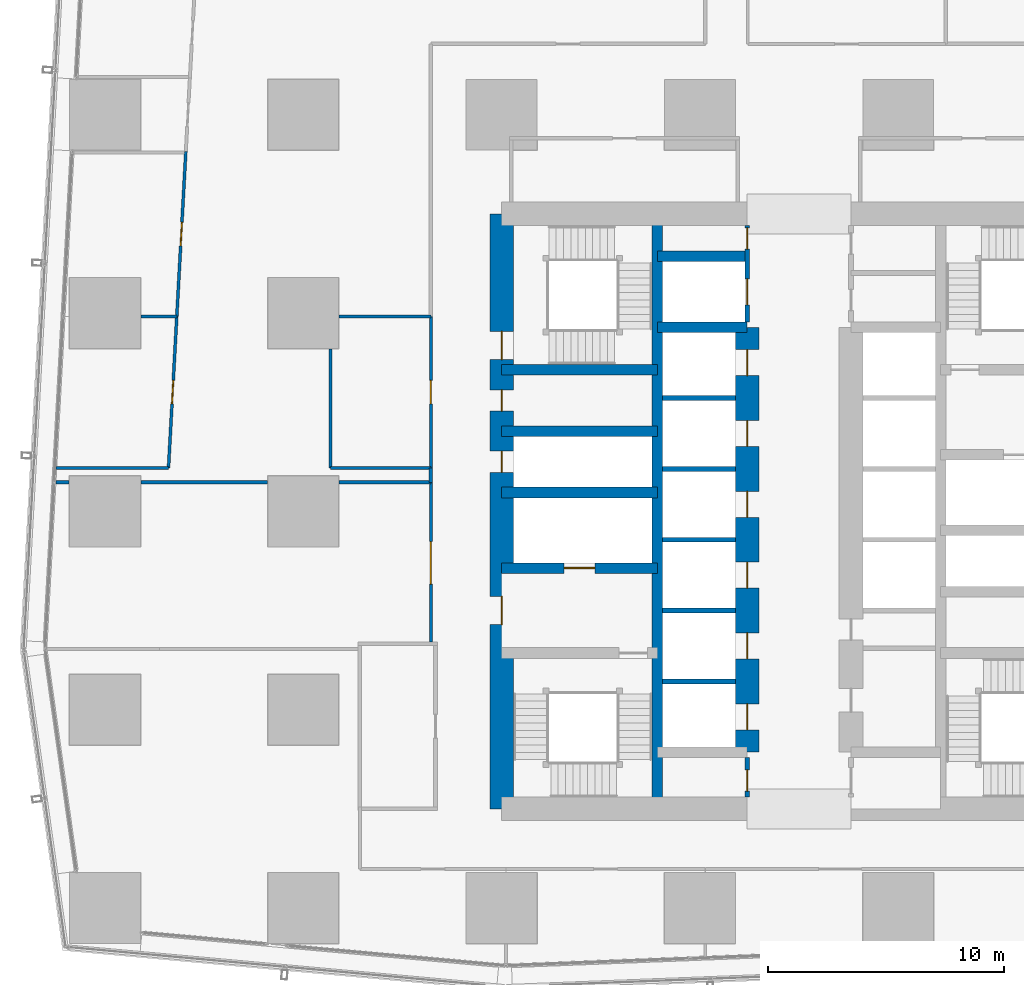
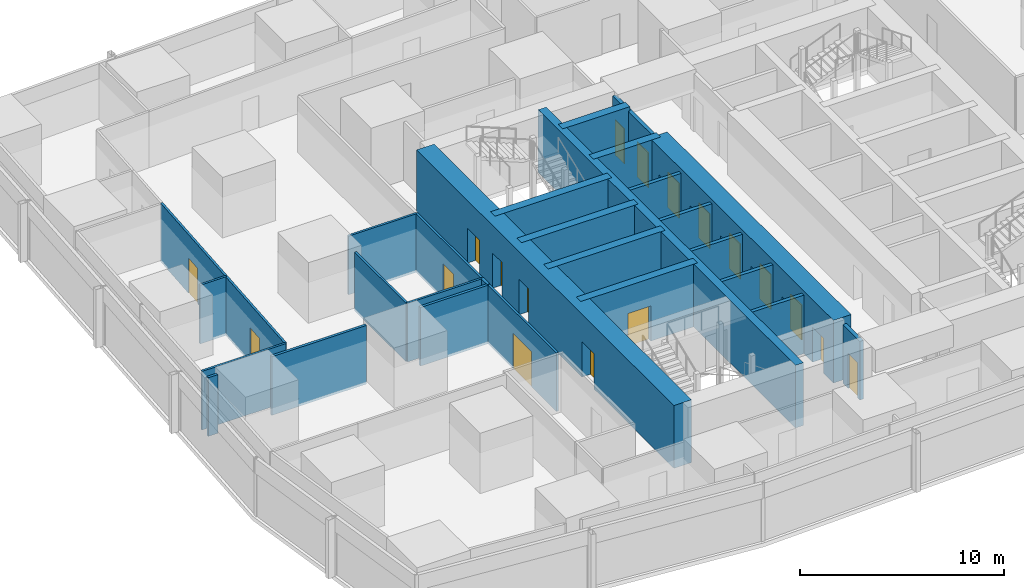
# One storey, part 29 of 39: 29 walls, 18 doors, 18 openings.
"""IFC4 building model written with IfcOpenShell, lengths in metres."""

from ifc_helpers import new_model, si_unit, direction, frame, frame_2d, origin, place, context, subcontext, project, spatial, rectangle, extrude, material, layer, layer_set, type_object, element, fill, save


model = new_model("IFC4")

# Units and contexts
model_context = context("Model", 3, precision=1e-05, world=origin(), true_north=direction((0.0, 1.0)))
body_context = subcontext(model_context, "Body", "Model", "MODEL_VIEW")
ifc_project = project(units=[si_unit("LENGTHUNIT", "METRE"), si_unit("AREAUNIT", "SQUARE_METRE"), si_unit("VOLUMEUNIT", "CUBIC_METRE"), si_unit("PLANEANGLEUNIT", "RADIAN"), si_unit("MASSUNIT", "GRAM", prefix="KILO")], contexts=[model_context])

# Site, building, storey
site_placement = place(None, origin())
site = spatial("IfcSite", under=ifc_project, at=site_placement, CompositionType="ELEMENT")
building_placement = place(site_placement, origin())
building = spatial("IfcBuilding", under=site, at=building_placement, Name="Rekha Terrace Tower", CompositionType="ELEMENT")
storey_placement = place(building_placement, frame((0.0, 0.0, 155.300048828125)))
storey = spatial("IfcBuildingStorey", under=building, at=storey_placement, Name="L39", CompositionType="ELEMENT", Elevation=155.300048828125)

# Walls
ifc_material_1 = material(Name="Concrete M70", Category="concrete")
ifc_layer_1 = layer(ifc_material_1, 0.449951171875)
ifc_layer_set_1 = layer_set([ifc_layer_1], Name="Concrete M70")
wall_type_1 = type_object("IfcWallType", Name="CI2 450 core internal shear wall", PredefinedType="SHEAR", material=ifc_layer_set_1)
wall_1_placement = place(storey_placement, frame((31.800048828125, 21.0, 0.0), z_axis=(0.0, 0.0, 1.0), x_axis=(0.0, 1.0, 0.0)))
element("IfcWall", 1, at=wall_1_placement, inside=storey, type_object=wall_type_1, Name="Core wall X318 L39", PredefinedType="SHEAR", context=body_context, shape_type="SweptSolid", body=[
    extrude(rectangle(XDim=25.199951171875, YDim=0.449951171875, at=frame_2d((12.60009765625, 0.0))), origin(), (0.0, 0.0, 1.0), 3.75),
])
for number, where, z_axis, x_axis, name in (
    (2, (31.800048828125, 41.39990234375, 0.0), (0.0, 0.0, 1.0), (1.0, 0.0, 0.0), "Core wall Y414W L39"),
    (3, (31.800048828125, 44.39990234375, 0.0), (0.0, 0.0, 1.0), (1.0, 0.0, 0.0), "Core wall Y444W L39"),
):
    element("IfcWall", number, at=place(storey_placement, frame(where, z_axis=z_axis, x_axis=x_axis)), inside=storey, type_object=wall_type_1, Name=name, PredefinedType="SHEAR", context=body_context, shape_type="SweptSolid", body=[
        extrude(rectangle(XDim=3.800048828125, YDim=0.449951171875, at=frame_2d((1.89990234375, 0.0))), origin(), (0.0, 0.0, 1.0), 3.75),
    ])

# Wall, opening, door
wall_2_placement = place(storey_placement, frame((25.199951171875, 31.199951171875, 0.0), z_axis=(0.0, 0.0, 1.0), x_axis=(1.0, 0.0, 0.0)))
wall_2 = element("IfcWall", 4, at=wall_2_placement, inside=storey, type_object=wall_type_1, Name="Core wall Y312W L39", PredefinedType="SHEAR", context=body_context, shape_type="SweptSolid", body=[
    extrude(rectangle(XDim=6.60009765625, YDim=0.449951171875, at=frame_2d((3.300048828125, 0.0))), origin(), (0.0, 0.0, 1.0), 3.75),
])
opening_1_placement = place(wall_2_placement, frame((2.64990234375, 0.0, 0.0)))
opening_1 = element("IfcOpeningElement", 5, at=opening_1_placement, cuts=wall_2, Name="Opening LD2", PredefinedType="OPENING", context=body_context, shape_type="SweptSolid", body=[
    extrude(rectangle(XDim=1.300048828125, YDim=2.10009765625, at=frame_2d((0.64990234375, 1.050048828125))), frame((0.0, 0.23486328125, 0.0), z_axis=(0.0, -1.0, 0.0), x_axis=(1.0, 0.0, 0.0)), (0.0, 0.0, 1.0), 0.469970703125),
])
ifc_material_2 = material(Name="Stainless steel sliding landing door", Category="steel")
door_type_1 = type_object("IfcDoorType", Name="LD2 1300x2100 fire lift landing door", OperationType="SLIDING_TO_LEFT", PredefinedType="USERDEFINED", material=ifc_material_2)
door_1_placement = place(opening_1_placement, origin())
door_1 = element("IfcDoor", 6, at=door_1_placement, inside=storey, type_object=door_type_1, Name="Lift FL1 landing door L39", ObjectType="LIFT LANDING DOOR", OperationType="SLIDING_TO_LEFT", OverallHeight=2.10009765625, OverallWidth=1.300048828125, PredefinedType="USERDEFINED", context=body_context, shape_type="SweptSolid", body=[
    extrude(rectangle(XDim=1.300048828125, YDim=2.10009765625, at=frame_2d((0.64990234375, 1.050048828125))), frame((0.0, 0.02490234375, 0.0), z_axis=(0.0, -1.0, 0.0), x_axis=(1.0, 0.0, 0.0)), (0.0, 0.0, 1.0), 0.050048828125),
])
fill(opening_1, door_1)

# Walls
for number, where, z_axis, x_axis, name in (
    (7, (25.199951171875, 34.39990234375, 0.0), (0.0, 0.0, 1.0), (1.0, 0.0, 0.0), "Core wall Y344W L39"),
    (8, (25.199951171875, 37.0, 0.0), (0.0, 0.0, 1.0), (1.0, 0.0, 0.0), "Core wall Y370W L39"),
    (9, (25.199951171875, 39.60009765625, 0.0), (0.0, 0.0, 1.0), (1.0, 0.0, 0.0), "Core wall Y396W L39"),
):
    element("IfcWall", number, at=place(storey_placement, frame(where, z_axis=z_axis, x_axis=x_axis)), inside=storey, type_object=wall_type_1, Name=name, PredefinedType="SHEAR", context=body_context, shape_type="SweptSolid", body=[
        extrude(rectangle(XDim=6.60009765625, YDim=0.449951171875, at=frame_2d((3.300048828125, 0.0))), origin(), (0.0, 0.0, 1.0), 3.75),
    ])

# Wall, openings, doors
ifc_layer_2 = layer(ifc_material_1, 1.0)
ifc_layer_set_2 = layer_set([ifc_layer_2], Name="Concrete M70")
wall_type_2 = type_object("IfcWallType", Name="LW2 1000 core lobby wall at an outrigger level", PredefinedType="SHEAR", material=ifc_layer_set_2)
wall_3_placement = place(storey_placement, frame((35.60009765625, 23.39990234375, 0.0), z_axis=(0.0, 0.0, 1.0), x_axis=(0.0, 1.0, 0.0)))
wall_3 = element("IfcWall", 10, at=wall_3_placement, inside=storey, type_object=wall_type_2, Name="Core wall X356 L39", PredefinedType="SHEAR", context=body_context, shape_type="SweptSolid", body=[
    extrude(rectangle(XDim=18.0, YDim=1.0, at=frame_2d((9.0, 0.0))), origin(), (0.0, 0.0, 1.0), 3.75),
])
opening_2_placement = place(wall_3_placement, frame((0.949951171875, 0.0, 0.0)))
opening_2 = element("IfcOpeningElement", 11, at=opening_2_placement, cuts=wall_3, Name="Opening LD1", PredefinedType="OPENING", context=body_context, shape_type="SweptSolid", body=[
    extrude(rectangle(XDim=1.10009765625, YDim=2.10009765625, at=frame_2d((0.550048828125, 1.050048828125))), frame((0.0, 0.510009765625, 0.0), z_axis=(0.0, -1.0, 0.0), x_axis=(1.0, 0.0, 0.0)), (0.0, 0.0, 1.0), 1.02001953125),
])
opening_3_placement = place(wall_3_placement, frame((3.949951171875, 0.0, 0.0)))
opening_3 = element("IfcOpeningElement", 12, at=opening_3_placement, cuts=wall_3, Name="Opening LD1", PredefinedType="OPENING", context=body_context, shape_type="SweptSolid", body=[
    extrude(rectangle(XDim=1.10009765625, YDim=2.10009765625, at=frame_2d((0.550048828125, 1.050048828125))), frame((0.0, 0.510009765625, 0.0), z_axis=(0.0, -1.0, 0.0), x_axis=(1.0, 0.0, 0.0)), (0.0, 0.0, 1.0), 1.02001953125),
])
opening_4_placement = place(wall_3_placement, frame((6.949951171875, 0.0, 0.0)))
opening_4 = element("IfcOpeningElement", 13, at=opening_4_placement, cuts=wall_3, Name="Opening LD1", PredefinedType="OPENING", context=body_context, shape_type="SweptSolid", body=[
    extrude(rectangle(XDim=1.10009765625, YDim=2.10009765625, at=frame_2d((0.550048828125, 1.050048828125))), frame((0.0, 0.510009765625, 0.0), z_axis=(0.0, -1.0, 0.0), x_axis=(1.0, 0.0, 0.0)), (0.0, 0.0, 1.0), 1.02001953125),
])
opening_5_placement = place(wall_3_placement, frame((9.949951171875, 0.0, 0.0)))
opening_5 = element("IfcOpeningElement", 14, at=opening_5_placement, cuts=wall_3, Name="Opening LD1", PredefinedType="OPENING", context=body_context, shape_type="SweptSolid", body=[
    extrude(rectangle(XDim=1.10009765625, YDim=2.10009765625, at=frame_2d((0.550048828125, 1.050048828125))), frame((0.0, 0.510009765625, 0.0), z_axis=(0.0, -1.0, 0.0), x_axis=(1.0, 0.0, 0.0)), (0.0, 0.0, 1.0), 1.02001953125),
])
opening_6_placement = place(wall_3_placement, frame((12.949951171875, 0.0, 0.0)))
opening_6 = element("IfcOpeningElement", 15, at=opening_6_placement, cuts=wall_3, Name="Opening LD1", PredefinedType="OPENING", context=body_context, shape_type="SweptSolid", body=[
    extrude(rectangle(XDim=1.10009765625, YDim=2.10009765625, at=frame_2d((0.550048828125, 1.050048828125))), frame((0.0, 0.510009765625, 0.0), z_axis=(0.0, -1.0, 0.0), x_axis=(1.0, 0.0, 0.0)), (0.0, 0.0, 1.0), 1.02001953125),
])
opening_7_placement = place(wall_3_placement, frame((15.949951171875, 0.0, 0.0)))
opening_7 = element("IfcOpeningElement", 16, at=opening_7_placement, cuts=wall_3, Name="Opening LD1", PredefinedType="OPENING", context=body_context, shape_type="SweptSolid", body=[
    extrude(rectangle(XDim=1.10009765625, YDim=2.10009765625, at=frame_2d((0.550048828125, 1.050048828125))), frame((0.0, 0.510009765625, 0.0), z_axis=(0.0, -1.0, 0.0), x_axis=(1.0, 0.0, 0.0)), (0.0, 0.0, 1.0), 1.02001953125),
])
door_type_2 = type_object("IfcDoorType", Name="LD1 1100x2100 lift landing door", OperationType="SLIDING_TO_LEFT", PredefinedType="USERDEFINED", material=ifc_material_2)
door_2_placement = place(opening_2_placement, origin())
door_2 = element("IfcDoor", 17, at=door_2_placement, inside=storey, type_object=door_type_2, Name="Lift B1 landing door L39", ObjectType="LIFT LANDING DOOR", OperationType="SLIDING_TO_LEFT", OverallHeight=2.10009765625, OverallWidth=1.10009765625, PredefinedType="USERDEFINED", context=body_context, shape_type="SweptSolid", body=[
    extrude(rectangle(XDim=1.10009765625, YDim=2.10009765625, at=frame_2d((0.550048828125, 1.050048828125))), frame((0.0, 0.02490234375, 0.0), z_axis=(0.0, -1.0, 0.0), x_axis=(1.0, 0.0, 0.0)), (0.0, 0.0, 1.0), 0.050048828125),
])
fill(opening_2, door_2)
door_3_placement = place(opening_3_placement, origin())
door_3 = element("IfcDoor", 18, at=door_3_placement, inside=storey, type_object=door_type_2, Name="Lift B2 landing door L39", ObjectType="LIFT LANDING DOOR", OperationType="SLIDING_TO_LEFT", OverallHeight=2.10009765625, OverallWidth=1.10009765625, PredefinedType="USERDEFINED", context=body_context, shape_type="SweptSolid", body=[
    extrude(rectangle(XDim=1.10009765625, YDim=2.10009765625, at=frame_2d((0.550048828125, 1.050048828125))), frame((0.0, 0.02490234375, 0.0), z_axis=(0.0, -1.0, 0.0), x_axis=(1.0, 0.0, 0.0)), (0.0, 0.0, 1.0), 0.050048828125),
])
fill(opening_3, door_3)
door_4_placement = place(opening_4_placement, origin())
door_4 = element("IfcDoor", 19, at=door_4_placement, inside=storey, type_object=door_type_2, Name="Lift B3 landing door L39", ObjectType="LIFT LANDING DOOR", OperationType="SLIDING_TO_LEFT", OverallHeight=2.10009765625, OverallWidth=1.10009765625, PredefinedType="USERDEFINED", context=body_context, shape_type="SweptSolid", body=[
    extrude(rectangle(XDim=1.10009765625, YDim=2.10009765625, at=frame_2d((0.550048828125, 1.050048828125))), frame((0.0, 0.02490234375, 0.0), z_axis=(0.0, -1.0, 0.0), x_axis=(1.0, 0.0, 0.0)), (0.0, 0.0, 1.0), 0.050048828125),
])
fill(opening_4, door_4)
door_5_placement = place(opening_5_placement, origin())
door_5 = element("IfcDoor", 20, at=door_5_placement, inside=storey, type_object=door_type_2, Name="Lift B4 landing door L39", ObjectType="LIFT LANDING DOOR", OperationType="SLIDING_TO_LEFT", OverallHeight=2.10009765625, OverallWidth=1.10009765625, PredefinedType="USERDEFINED", context=body_context, shape_type="SweptSolid", body=[
    extrude(rectangle(XDim=1.10009765625, YDim=2.10009765625, at=frame_2d((0.550048828125, 1.050048828125))), frame((0.0, 0.02490234375, 0.0), z_axis=(0.0, -1.0, 0.0), x_axis=(1.0, 0.0, 0.0)), (0.0, 0.0, 1.0), 0.050048828125),
])
fill(opening_5, door_5)
door_6_placement = place(opening_6_placement, origin())
door_6 = element("IfcDoor", 21, at=door_6_placement, inside=storey, type_object=door_type_2, Name="Lift B5 landing door L39", ObjectType="LIFT LANDING DOOR", OperationType="SLIDING_TO_LEFT", OverallHeight=2.10009765625, OverallWidth=1.10009765625, PredefinedType="USERDEFINED", context=body_context, shape_type="SweptSolid", body=[
    extrude(rectangle(XDim=1.10009765625, YDim=2.10009765625, at=frame_2d((0.550048828125, 1.050048828125))), frame((0.0, 0.02490234375, 0.0), z_axis=(0.0, -1.0, 0.0), x_axis=(1.0, 0.0, 0.0)), (0.0, 0.0, 1.0), 0.050048828125),
])
fill(opening_6, door_6)
door_7_placement = place(opening_7_placement, origin())
door_7 = element("IfcDoor", 22, at=door_7_placement, inside=storey, type_object=door_type_2, Name="Lift B6 landing door L39", ObjectType="LIFT LANDING DOOR", OperationType="SLIDING_TO_LEFT", OverallHeight=2.10009765625, OverallWidth=1.10009765625, PredefinedType="USERDEFINED", context=body_context, shape_type="SweptSolid", body=[
    extrude(rectangle(XDim=1.10009765625, YDim=2.10009765625, at=frame_2d((0.550048828125, 1.050048828125))), frame((0.0, 0.02490234375, 0.0), z_axis=(0.0, -1.0, 0.0), x_axis=(1.0, 0.0, 0.0)), (0.0, 0.0, 1.0), 0.050048828125),
])
fill(opening_7, door_7)

ifc_layer_3 = layer(ifc_material_1, 1.0)
ifc_layer_set_3 = layer_set([ifc_layer_3], Name="Concrete M70")
wall_type_3 = type_object("IfcWallType", Name="SW2 1000 core outer shear wall", PredefinedType="SHEAR", material=ifc_layer_set_3)
wall_4_placement = place(storey_placement, frame((25.199951171875, 21.0, 0.0), z_axis=(0.0, 0.0, 1.0), x_axis=(0.0, 1.0, 0.0)))
wall_4 = element("IfcWall", 23, at=wall_4_placement, inside=storey, type_object=wall_type_3, Name="Core wall W L39", PredefinedType="SHEAR", context=body_context, shape_type="SweptSolid", body=[
    extrude(rectangle(XDim=25.199951171875, YDim=1.0, at=frame_2d((12.60009765625, 0.0))), origin(), (0.0, 0.0, 1.0), 3.75),
])
opening_8_placement = place(wall_4_placement, frame((7.800048828125, 0.0, 0.0)))
opening_8 = element("IfcOpeningElement", 24, at=opening_8_placement, cuts=wall_4, Name="Opening D2", PredefinedType="OPENING", context=body_context, shape_type="SweptSolid", body=[
    extrude(rectangle(XDim=1.199951171875, YDim=2.10009765625, at=frame_2d((0.60009765625, 1.050048828125))), frame((0.0, 0.510009765625, 0.0), z_axis=(0.0, -1.0, 0.0), x_axis=(1.0, 0.0, 0.0)), (0.0, 0.0, 1.0), 1.02001953125),
])
opening_9_placement = place(wall_4_placement, frame((14.25, 0.0, 0.0)))
opening_9 = element("IfcOpeningElement", 25, at=opening_9_placement, cuts=wall_4, Name="Opening D5", PredefinedType="OPENING", context=body_context, shape_type="SweptSolid", body=[
    extrude(rectangle(XDim=0.89990234375, YDim=2.10009765625, at=frame_2d((0.449951171875, 1.050048828125))), frame((0.0, 0.510009765625, 0.0), z_axis=(0.0, -1.0, 0.0), x_axis=(1.0, 0.0, 0.0)), (0.0, 0.0, 1.0), 1.02001953125),
])
opening_10_placement = place(wall_4_placement, frame((16.85009765625, 0.0, 0.0)))
opening_10 = element("IfcOpeningElement", 26, at=opening_10_placement, cuts=wall_4, Name="Opening D5", PredefinedType="OPENING", context=body_context, shape_type="SweptSolid", body=[
    extrude(rectangle(XDim=0.89990234375, YDim=2.10009765625, at=frame_2d((0.449951171875, 1.050048828125))), frame((0.0, 0.510009765625, 0.0), z_axis=(0.0, -1.0, 0.0), x_axis=(1.0, 0.0, 0.0)), (0.0, 0.0, 1.0), 1.02001953125),
])
opening_11_placement = place(wall_4_placement, frame((19.02490234375, 0.0, 0.0)))
opening_11 = element("IfcOpeningElement", 27, at=opening_11_placement, cuts=wall_4, Name="Opening D1", PredefinedType="OPENING", context=body_context, shape_type="SweptSolid", body=[
    extrude(rectangle(XDim=1.199951171875, YDim=2.10009765625, at=frame_2d((0.60009765625, 1.050048828125))), frame((0.0, 0.510009765625, 0.0), z_axis=(0.0, -1.0, 0.0), x_axis=(1.0, 0.0, 0.0)), (0.0, 0.0, 1.0), 1.02001953125),
])
ifc_material_3 = material(Name="Steel fire door", Category="steel")
door_type_3 = type_object("IfcDoorType", Name="D1 1200x2100 stair fire door", OperationType="SINGLE_SWING_RIGHT", PredefinedType="DOOR", material=ifc_material_3)
door_8_placement = place(opening_11_placement, origin())
door_8 = element("IfcDoor", 28, at=door_8_placement, inside=storey, type_object=door_type_3, Name="Stair ST4 door L39", OperationType="SINGLE_SWING_RIGHT", OverallHeight=2.10009765625, OverallWidth=1.199951171875, PredefinedType="DOOR", context=body_context, shape_type="SweptSolid", body=[
    extrude(rectangle(XDim=1.199951171875, YDim=2.10009765625, at=frame_2d((0.60009765625, 1.050048828125))), frame((0.0, 0.02490234375, 0.0), z_axis=(0.0, -1.0, 0.0), x_axis=(1.0, 0.0, 0.0)), (0.0, 0.0, 1.0), 0.050048828125),
])
fill(opening_11, door_8)
door_type_4 = type_object("IfcDoorType", Name="D2 1200x2100 firefighting lobby door", OperationType="SINGLE_SWING_LEFT", PredefinedType="DOOR", material=ifc_material_3)
door_9_placement = place(opening_8_placement, origin())
door_9 = element("IfcDoor", 29, at=door_9_placement, inside=storey, type_object=door_type_4, Name="Door flb1 L39", OperationType="SINGLE_SWING_LEFT", OverallHeight=2.10009765625, OverallWidth=1.199951171875, PredefinedType="DOOR", context=body_context, shape_type="SweptSolid", body=[
    extrude(rectangle(XDim=1.199951171875, YDim=2.10009765625, at=frame_2d((0.60009765625, 1.050048828125))), frame((0.0, 0.02490234375, 0.0), z_axis=(0.0, -1.0, 0.0), x_axis=(1.0, 0.0, 0.0)), (0.0, 0.0, 1.0), 0.050048828125),
])
fill(opening_8, door_9)
door_type_5 = type_object("IfcDoorType", Name="D5 900x2100 riser access door", OperationType="SINGLE_SWING_LEFT", PredefinedType="DOOR", material=ifc_material_3)
door_10_placement = place(opening_9_placement, origin())
door_10 = element("IfcDoor", 30, at=door_10_placement, inside=storey, type_object=door_type_5, Name="Door rs1 L39", OperationType="SINGLE_SWING_LEFT", OverallHeight=2.10009765625, OverallWidth=0.89990234375, PredefinedType="DOOR", context=body_context, shape_type="SweptSolid", body=[
    extrude(rectangle(XDim=0.89990234375, YDim=2.10009765625, at=frame_2d((0.449951171875, 1.050048828125))), frame((0.0, 0.02490234375, 0.0), z_axis=(0.0, -1.0, 0.0), x_axis=(1.0, 0.0, 0.0)), (0.0, 0.0, 1.0), 0.050048828125),
])
fill(opening_9, door_10)
door_11_placement = place(opening_10_placement, origin())
door_11 = element("IfcDoor", 31, at=door_11_placement, inside=storey, type_object=door_type_5, Name="Door elw L39", OperationType="SINGLE_SWING_LEFT", OverallHeight=2.10009765625, OverallWidth=0.89990234375, PredefinedType="DOOR", context=body_context, shape_type="SweptSolid", body=[
    extrude(rectangle(XDim=0.89990234375, YDim=2.10009765625, at=frame_2d((0.449951171875, 1.050048828125))), frame((0.0, 0.02490234375, 0.0), z_axis=(0.0, -1.0, 0.0), x_axis=(1.0, 0.0, 0.0)), (0.0, 0.0, 1.0), 0.050048828125),
])
fill(opening_10, door_11)

# Walls
ifc_material_4 = material(Name="Concrete block masonry, 1 hour", Category="masonry")
ifc_layer_4 = layer(ifc_material_4, 0.14990234375)
ifc_layer_set_4 = layer_set([ifc_layer_4], Name="Concrete block masonry, 1 hour")
wall_type_4 = type_object("IfcWallType", Name="WP2 150 tenancy partition", PredefinedType="PARTITIONING", material=ifc_layer_set_4)
wall_5_placement = place(storey_placement, frame((22.199951171875, 35.447021484375, 0.0), z_axis=(0.0, 0.0, 1.0), x_axis=(0.0, -1.0, 0.0)))
element("IfcWall", 32, at=wall_5_placement, inside=storey, type_object=wall_type_4, Name="Partition L39-O2", PredefinedType="PARTITIONING", context=body_context, shape_type="SweptSolid", body=[
    extrude(rectangle(XDim=0.613037109375, YDim=0.14990234375, at=frame_2d((0.306640625, 0.0))), origin(), (0.0, 0.0, 1.0), 3.5),
])
wall_6_placement = place(storey_placement, frame((22.199951171875, 34.833984375, 0.0), z_axis=(0.0, 0.0, 1.0), x_axis=(-1.0, 0.0, 0.0)))
element("IfcWall", 33, at=wall_6_placement, inside=storey, type_object=wall_type_4, Name="Partition L39-O2", PredefinedType="PARTITIONING", context=body_context, shape_type="SweptSolid", body=[
    extrude(rectangle(XDim=3.8798828125, YDim=0.14990234375, at=frame_2d((1.93994140625, 0.0))), origin(), (0.0, 0.0, 1.0), 3.5),
])
wall_7_placement = place(storey_placement, frame((15.280029296875, 34.833984375, 0.0), z_axis=(0.0, 0.0, 1.0), x_axis=(-1.0, 0.0, 0.0)))
element("IfcWall", 34, at=wall_7_placement, inside=storey, type_object=wall_type_4, Name="Partition L39-O2", PredefinedType="PARTITIONING", context=body_context, shape_type="SweptSolid", body=[
    extrude(rectangle(XDim=5.360107421875, YDim=0.14990234375, at=frame_2d((2.68017578125, 0.0))), origin(), (0.0, 0.0, 1.0), 3.5),
])
wall_8_placement = place(storey_placement, frame((6.8798828125, 34.833984375, 0.0), z_axis=(0.0, 0.0, 1.0), x_axis=(-1.0, 0.0, 0.0)))
element("IfcWall", 35, at=wall_8_placement, inside=storey, type_object=wall_type_4, Name="Partition L39-O2", PredefinedType="PARTITIONING", context=body_context, shape_type="SweptSolid", body=[
    extrude(rectangle(XDim=0.55078125, YDim=0.14990234375, at=frame_2d((0.275390625, 0.0))), origin(), (0.0, 0.0, 1.0), 3.5),
])

# Wall, opening, door
ifc_material_5 = material(Name="Two layers of fire-rated gypsum board each side on steel studs, acoustic quilt, 1 hour", Category="steel")
ifc_layer_5 = layer(ifc_material_5, 0.125)
ifc_layer_set_5 = layer_set([ifc_layer_5], Name="Two layers of fire-rated gypsum board each side on steel studs, acoustic quilt, 1 hour")
wall_type_5 = type_object("IfcWallType", Name="WP3 125 office partition", PredefinedType="PARTITIONING", material=ifc_layer_set_5)
wall_9_placement = place(storey_placement, frame((11.823974609375, 48.842041015625, 0.0), z_axis=(0.0, 0.0, 1.0), x_axis=(-0.054741513587, -0.998500559184, 0.0)))
wall_9 = element("IfcWall", 36, at=wall_9_placement, inside=storey, type_object=wall_type_5, Name="Partition L39-16", PredefinedType="PARTITIONING", context=body_context, shape_type="SweptSolid", body=[
    extrude(rectangle(XDim=6.99755859375, YDim=0.125, at=frame_2d((3.498779296875, 0.0))), origin(), (0.0, 0.0, 1.0), 3.5),
])
opening_12_placement = place(wall_9_placement, frame((2.9990234375, 0.0, 0.0)))
opening_12 = element("IfcOpeningElement", 37, at=opening_12_placement, cuts=wall_9, Name="Opening D9", PredefinedType="OPENING", context=body_context, shape_type="SweptSolid", body=[
    extrude(rectangle(XDim=1.0, YDim=2.10009765625, at=frame_2d((0.5, 1.050048828125))), frame((0.0, 0.072509765625, 0.0), z_axis=(0.0, -1.0, 0.0), x_axis=(1.0, 0.0, 0.0)), (0.0, 0.0, 1.0), 0.14501953125),
])
ifc_material_6 = material(Name="Timber fire door", Category="wood")
door_type_6 = type_object("IfcDoorType", Name="D9 1000x2100 office door", OperationType="SINGLE_SWING_LEFT", PredefinedType="DOOR", material=ifc_material_6)
door_12_placement = place(opening_12_placement, origin())
door_12 = element("IfcDoor", 38, at=door_12_placement, inside=storey, type_object=door_type_6, Name="Door quiet room L39", OperationType="SINGLE_SWING_LEFT", OverallHeight=2.10009765625, OverallWidth=1.0, PredefinedType="DOOR", context=body_context, shape_type="SweptSolid", body=[
    extrude(rectangle(XDim=1.0, YDim=2.10009765625, at=frame_2d((0.5, 1.050048828125))), frame((0.0, 0.02490234375, 0.0), z_axis=(0.0, -1.0, 0.0), x_axis=(1.0, 0.0, 0.0)), (0.0, 0.0, 1.0), 0.050048828125),
])
fill(opening_12, door_12)

# Wall
wall_10_placement = place(storey_placement, frame((11.44091796875, 41.85498046875, 0.0), z_axis=(0.0, 0.0, 1.0), x_axis=(-1.0, 0.0, 0.0)))
element("IfcWall", 39, at=wall_10_placement, inside=storey, type_object=wall_type_5, Name="Partition L39-16", PredefinedType="PARTITIONING", context=body_context, shape_type="SweptSolid", body=[
    extrude(rectangle(XDim=1.52099609375, YDim=0.125, at=frame_2d((0.760498046875, 0.0))), origin(), (0.0, 0.0, 1.0), 3.5),
])

# Wall, opening, door
wall_11_placement = place(storey_placement, frame((11.44091796875, 41.85400390625, 0.0), z_axis=(0.0, 0.0, 1.0), x_axis=(-0.054675551462, -0.998504173287, 0.0)))
wall_11 = element("IfcWall", 40, at=wall_11_placement, inside=storey, type_object=wall_type_5, Name="Partition L39-17", PredefinedType="PARTITIONING", context=body_context, shape_type="SweptSolid", body=[
    extrude(rectangle(XDim=6.41650390625, YDim=0.125, at=frame_2d((3.208251953125, 0.0))), origin(), (0.0, 0.0, 1.0), 3.5),
])
opening_13_placement = place(wall_11_placement, frame((2.7080078125, 0.0, 0.0)))
opening_13 = element("IfcOpeningElement", 41, at=opening_13_placement, cuts=wall_11, Name="Opening D9", PredefinedType="OPENING", context=body_context, shape_type="SweptSolid", body=[
    extrude(rectangle(XDim=1.0, YDim=2.10009765625, at=frame_2d((0.5, 1.050048828125))), frame((0.0, 0.072509765625, 0.0), z_axis=(0.0, -1.0, 0.0), x_axis=(1.0, 0.0, 0.0)), (0.0, 0.0, 1.0), 0.14501953125),
])
door_13_placement = place(opening_13_placement, origin())
door_13 = element("IfcDoor", 42, at=door_13_placement, inside=storey, type_object=door_type_6, Name="Door meeting room L39", OperationType="SINGLE_SWING_LEFT", OverallHeight=2.10009765625, OverallWidth=1.0, PredefinedType="DOOR", context=body_context, shape_type="SweptSolid", body=[
    extrude(rectangle(XDim=1.0, YDim=2.10009765625, at=frame_2d((0.5, 1.050048828125))), frame((0.0, 0.02490234375, 0.0), z_axis=(0.0, -1.0, 0.0), x_axis=(1.0, 0.0, 0.0)), (0.0, 0.0, 1.0), 0.050048828125),
])
fill(opening_13, door_13)

# Walls
wall_12_placement = place(storey_placement, frame((11.090087890625, 35.447021484375, 0.0), z_axis=(0.0, 0.0, 1.0), x_axis=(-1.0, 0.0, 0.0)))
element("IfcWall", 43, at=wall_12_placement, inside=storey, type_object=wall_type_5, Name="Partition L39-17", PredefinedType="PARTITIONING", context=body_context, shape_type="SweptSolid", body=[
    extrude(rectangle(XDim=4.757080078125, YDim=0.125, at=frame_2d((2.37841796875, 0.0))), origin(), (0.0, 0.0, 1.0), 3.5),
])
wall_13_placement = place(storey_placement, frame((17.949951171875, 35.447021484375, 0.0), z_axis=(0.0, 0.0, 1.0), x_axis=(0.0, 1.0, 0.0)))
element("IfcWall", 44, at=wall_13_placement, inside=storey, type_object=wall_type_5, Name="Partition L39-18", PredefinedType="PARTITIONING", context=body_context, shape_type="SweptSolid", body=[
    extrude(rectangle(XDim=5.032958984375, YDim=0.125, at=frame_2d((2.5166015625, 0.0))), origin(), (0.0, 0.0, 1.0), 3.5),
])
wall_14_placement = place(storey_placement, frame((18.320068359375, 41.85498046875, 0.0), z_axis=(0.0, 0.0, 1.0), x_axis=(1.0, 0.0, 0.0)))
element("IfcWall", 45, at=wall_14_placement, inside=storey, type_object=wall_type_5, Name="Partition L39-18", PredefinedType="PARTITIONING", context=body_context, shape_type="SweptSolid", body=[
    extrude(rectangle(XDim=3.8798828125, YDim=0.125, at=frame_2d((1.93994140625, 0.0))), origin(), (0.0, 0.0, 1.0), 3.5),
])

# Wall, opening, door
wall_15_placement = place(storey_placement, frame((22.199951171875, 41.85498046875, 0.0), z_axis=(0.0, 0.0, 1.0), x_axis=(0.0, -1.0, 0.0)))
wall_15 = element("IfcWall", 46, at=wall_15_placement, inside=storey, type_object=wall_type_5, Name="Partition L39-18", PredefinedType="PARTITIONING", context=body_context, shape_type="SweptSolid", body=[
    extrude(rectangle(XDim=6.407958984375, YDim=0.125, at=frame_2d((3.2041015625, 0.0))), origin(), (0.0, 0.0, 1.0), 3.5),
])
opening_14_placement = place(wall_15_placement, frame((2.7041015625, 0.0, 0.0)))
opening_14 = element("IfcOpeningElement", 47, at=opening_14_placement, cuts=wall_15, Name="Opening D9", PredefinedType="OPENING", context=body_context, shape_type="SweptSolid", body=[
    extrude(rectangle(XDim=1.0, YDim=2.10009765625, at=frame_2d((0.5, 1.050048828125))), frame((0.0, 0.072509765625, 0.0), z_axis=(0.0, -1.0, 0.0), x_axis=(1.0, 0.0, 0.0)), (0.0, 0.0, 1.0), 0.14501953125),
])
door_14_placement = place(opening_14_placement, origin())
door_14 = element("IfcDoor", 48, at=door_14_placement, inside=storey, type_object=door_type_6, Name="Door reception L39", OperationType="SINGLE_SWING_LEFT", OverallHeight=2.10009765625, OverallWidth=1.0, PredefinedType="DOOR", context=body_context, shape_type="SweptSolid", body=[
    extrude(rectangle(XDim=1.0, YDim=2.10009765625, at=frame_2d((0.5, 1.050048828125))), frame((0.0, 0.02490234375, 0.0), z_axis=(0.0, -1.0, 0.0), x_axis=(1.0, 0.0, 0.0)), (0.0, 0.0, 1.0), 0.050048828125),
])
fill(opening_14, door_14)

# Wall
wall_16_placement = place(storey_placement, frame((22.199951171875, 35.447021484375, 0.0), z_axis=(0.0, 0.0, 1.0), x_axis=(-1.0, 0.0, 0.0)))
element("IfcWall", 49, at=wall_16_placement, inside=storey, type_object=wall_type_5, Name="Partition L39-18", PredefinedType="PARTITIONING", context=body_context, shape_type="SweptSolid", body=[
    extrude(rectangle(XDim=4.25, YDim=0.125, at=frame_2d((2.125, 0.0))), origin(), (0.0, 0.0, 1.0), 3.5),
])

# Wall, opening, door
wall_17_placement = place(storey_placement, frame((22.199951171875, 34.833984375, 0.0), z_axis=(0.0, 0.0, 1.0), x_axis=(0.0, -1.0, 0.0)))
wall_17 = element("IfcWall", 50, at=wall_17_placement, inside=storey, type_object=wall_type_5, Name="Partition L39-21", PredefinedType="PARTITIONING", context=body_context, shape_type="SweptSolid", body=[
    extrude(rectangle(XDim=6.759033203125, YDim=0.125, at=frame_2d((3.37939453125, 0.0))), origin(), (0.0, 0.0, 1.0), 3.5),
])
opening_15_placement = place(wall_17_placement, frame((2.51708984375, 0.0, 0.0)))
opening_15 = element("IfcOpeningElement", 51, at=opening_15_placement, cuts=wall_17, Name="Opening D8", PredefinedType="OPENING", context=body_context, shape_type="SweptSolid", body=[
    extrude(rectangle(XDim=1.800048828125, YDim=2.10009765625, at=frame_2d((0.89990234375, 1.050048828125))), frame((0.0, 0.072509765625, 0.0), z_axis=(0.0, -1.0, 0.0), x_axis=(1.0, 0.0, 0.0)), (0.0, 0.0, 1.0), 0.14501953125),
])
door_type_7 = type_object("IfcDoorType", Name="D8 1800x2100 double leaf door", OperationType="DOUBLE_DOOR_SINGLE_SWING", PredefinedType="DOOR", material=ifc_material_6)
door_15_placement = place(opening_15_placement, origin())
door_15 = element("IfcDoor", 52, at=door_15_placement, inside=storey, type_object=door_type_7, Name="Door print room L39", OperationType="DOUBLE_DOOR_SINGLE_SWING", OverallHeight=2.10009765625, OverallWidth=1.800048828125, PredefinedType="DOOR", context=body_context, shape_type="SweptSolid", body=[
    extrude(rectangle(XDim=1.800048828125, YDim=2.10009765625, at=frame_2d((0.89990234375, 1.050048828125))), frame((0.0, 0.02490234375, 0.0), z_axis=(0.0, -1.0, 0.0), x_axis=(1.0, 0.0, 0.0)), (0.0, 0.0, 1.0), 0.050048828125),
])
fill(opening_15, door_15)

# Walls
ifc_material_7 = material(Name="Solid concrete block masonry, 2 hour", Category="masonry")
ifc_layer_6 = layer(ifc_material_7, 0.199951171875)
ifc_layer_set_6 = layer_set([ifc_layer_6], Name="Solid concrete block masonry, 2 hour")
wall_type_6 = type_object("IfcWallType", Name="WS1 200 stair and shaft enclosure", PredefinedType="PARTITIONING", material=ifc_layer_set_6)
for number, where, z_axis, x_axis, name in (
    (53, (32.02490234375, 26.39990234375, 0.0), (0.0, 0.0, 1.0), (1.0, 0.0, 0.0), "Lift shaft divider L39"),
    (54, (32.02490234375, 29.39990234375, 0.0), (0.0, 0.0, 1.0), (1.0, 0.0, 0.0), "Lift shaft divider L39"),
    (55, (32.02490234375, 32.39990234375, 0.0), (0.0, 0.0, 1.0), (1.0, 0.0, 0.0), "Lift shaft divider L39"),
    (56, (32.02490234375, 35.39990234375, 0.0), (0.0, 0.0, 1.0), (1.0, 0.0, 0.0), "Lift shaft divider L39"),
    (57, (32.02490234375, 38.39990234375, 0.0), (0.0, 0.0, 1.0), (1.0, 0.0, 0.0), "Lift shaft divider L39"),
):
    element("IfcWall", number, at=place(storey_placement, frame(where, z_axis=z_axis, x_axis=x_axis)), inside=storey, type_object=wall_type_6, Name=name, PredefinedType="PARTITIONING", context=body_context, shape_type="SweptSolid", body=[
        extrude(rectangle(XDim=3.0751953125, YDim=0.199951171875, at=frame_2d((1.53759765625, 0.0))), origin(), (0.0, 0.0, 1.0), 3.5),
    ])

# Wall, openings, doors
wall_18_placement = place(storey_placement, frame((35.60009765625, 41.625, 0.0), z_axis=(0.0, 0.0, 1.0), x_axis=(0.0, 1.0, 0.0)))
wall_18 = element("IfcWall", 58, at=wall_18_placement, inside=storey, type_object=wall_type_6, Name="Core partition jansv L39", PredefinedType="PARTITIONING", context=body_context, shape_type="SweptSolid", body=[
    extrude(rectangle(XDim=4.074951171875, YDim=0.199951171875, at=frame_2d((2.03759765625, 0.0))), origin(), (0.0, 0.0, 1.0), 3.5),
])
opening_16_placement = place(wall_18_placement, frame((3.087890625, 0.0, 0.0)))
opening_16 = element("IfcOpeningElement", 59, at=opening_16_placement, cuts=wall_18, Name="Opening D5", PredefinedType="OPENING", context=body_context, shape_type="SweptSolid", body=[
    extrude(rectangle(XDim=0.89990234375, YDim=2.10009765625, at=frame_2d((0.449951171875, 1.050048828125))), frame((0.0, 0.10986328125, 0.0), z_axis=(0.0, -1.0, 0.0), x_axis=(1.0, 0.0, 0.0)), (0.0, 0.0, 1.0), 0.219970703125),
])
opening_17_placement = place(wall_18_placement, frame((0.72509765625, 0.0, 0.0)))
opening_17 = element("IfcOpeningElement", 60, at=opening_17_placement, cuts=wall_18, Name="Opening LD1", PredefinedType="OPENING", context=body_context, shape_type="SweptSolid", body=[
    extrude(rectangle(XDim=1.10009765625, YDim=2.10009765625, at=frame_2d((0.550048828125, 1.050048828125))), frame((0.0, 0.10986328125, 0.0), z_axis=(0.0, -1.0, 0.0), x_axis=(1.0, 0.0, 0.0)), (0.0, 0.0, 1.0), 0.219970703125),
])
door_16_placement = place(opening_16_placement, origin())
door_16 = element("IfcDoor", 61, at=door_16_placement, inside=storey, type_object=door_type_5, Name="Door janitor room L39", OperationType="SINGLE_SWING_LEFT", OverallHeight=2.10009765625, OverallWidth=0.89990234375, PredefinedType="DOOR", context=body_context, shape_type="SweptSolid", body=[
    extrude(rectangle(XDim=0.89990234375, YDim=2.10009765625, at=frame_2d((0.449951171875, 1.050048828125))), frame((0.0, 0.02490234375, 0.0), z_axis=(0.0, -1.0, 0.0), x_axis=(1.0, 0.0, 0.0)), (0.0, 0.0, 1.0), 0.050048828125),
])
fill(opening_16, door_16)
door_17_placement = place(opening_17_placement, origin())
door_17 = element("IfcDoor", 62, at=door_17_placement, inside=storey, type_object=door_type_2, Name="Lift SV1 landing door L39", ObjectType="LIFT LANDING DOOR", OperationType="SLIDING_TO_LEFT", OverallHeight=2.10009765625, OverallWidth=1.10009765625, PredefinedType="USERDEFINED", context=body_context, shape_type="SweptSolid", body=[
    extrude(rectangle(XDim=1.10009765625, YDim=2.10009765625, at=frame_2d((0.550048828125, 1.050048828125))), frame((0.0, 0.02490234375, 0.0), z_axis=(0.0, -1.0, 0.0), x_axis=(1.0, 0.0, 0.0)), (0.0, 0.0, 1.0), 0.050048828125),
])
fill(opening_17, door_17)

# Wall, opening, door
wall_19_placement = place(storey_placement, frame((35.60009765625, 21.5, 0.0), z_axis=(0.0, 0.0, 1.0), x_axis=(0.0, 1.0, 0.0)))
wall_19 = element("IfcWall", 63, at=wall_19_placement, inside=storey, type_object=wall_type_6, Name="Core partition west L39", PredefinedType="PARTITIONING", context=body_context, shape_type="SweptSolid", body=[
    extrude(rectangle(XDim=1.675048828125, YDim=0.199951171875, at=frame_2d((0.83740234375, 0.0))), origin(), (0.0, 0.0, 1.0), 3.5),
])
opening_18_placement = place(wall_19_placement, frame((0.25, 0.0, 0.0)))
opening_18 = element("IfcOpeningElement", 64, at=opening_18_placement, cuts=wall_19, Name="Opening D5", PredefinedType="OPENING", context=body_context, shape_type="SweptSolid", body=[
    extrude(rectangle(XDim=0.89990234375, YDim=2.10009765625, at=frame_2d((0.449951171875, 1.050048828125))), frame((0.0, 0.10986328125, 0.0), z_axis=(0.0, -1.0, 0.0), x_axis=(1.0, 0.0, 0.0)), (0.0, 0.0, 1.0), 0.219970703125),
])
door_18_placement = place(opening_18_placement, origin())
door_18 = element("IfcDoor", 65, at=door_18_placement, inside=storey, type_object=door_type_5, Name="Door tenant store L39", OperationType="SINGLE_SWING_LEFT", OverallHeight=2.10009765625, OverallWidth=0.89990234375, PredefinedType="DOOR", context=body_context, shape_type="SweptSolid", body=[
    extrude(rectangle(XDim=0.89990234375, YDim=2.10009765625, at=frame_2d((0.449951171875, 1.050048828125))), frame((0.0, 0.02490234375, 0.0), z_axis=(0.0, -1.0, 0.0), x_axis=(1.0, 0.0, 0.0)), (0.0, 0.0, 1.0), 0.050048828125),
])
fill(opening_18, door_18)

save(model, "model.ifc")
